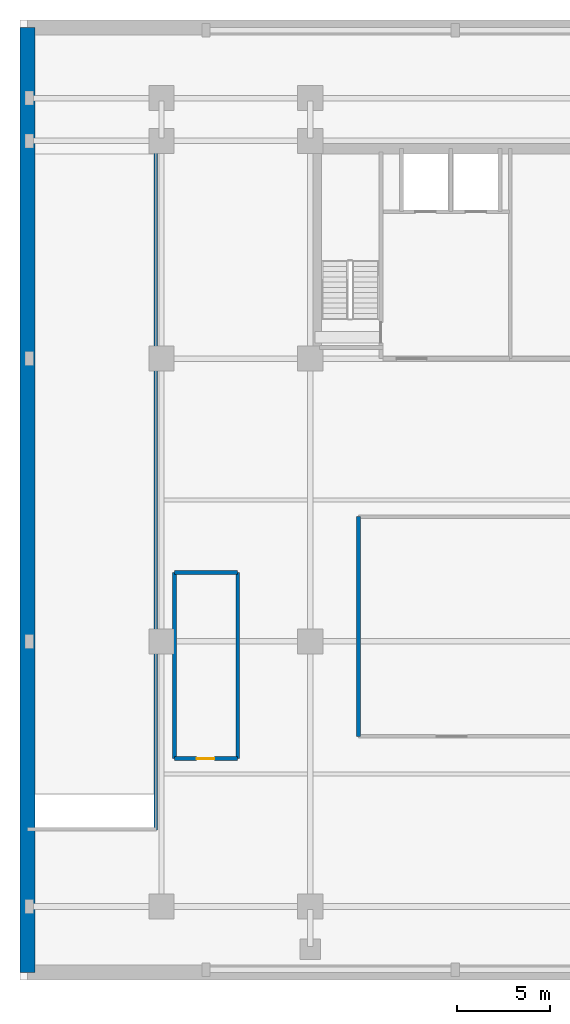
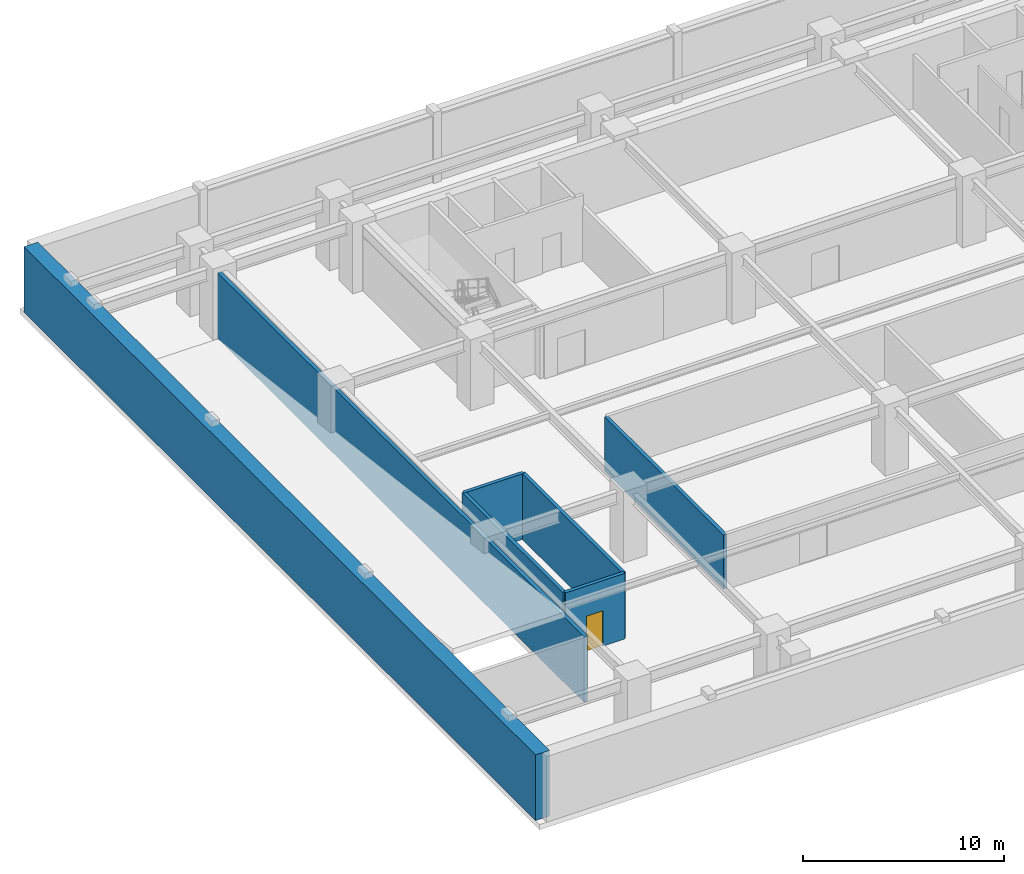
# One storey, part 3 of 8: 7 walls, 1 door, 1 opening.
"""IFC4 building model written with IfcOpenShell, lengths in metres."""

from ifc_helpers import new_model, si_unit, direction, frame, frame_2d, origin, place, context, subcontext, project, spatial, rectangle, extrude, source, transform, mapped, material, layer, layer_set, type_object, element, fill, save


model = new_model("IFC4")

# Units and contexts
model_context = context("Model", 3, precision=1e-05, world=origin(), true_north=direction((0.0, 1.0)))
body_context = subcontext(model_context, "Body", "Model", "MODEL_VIEW")
ifc_project = project(units=[si_unit("LENGTHUNIT", "METRE"), si_unit("AREAUNIT", "SQUARE_METRE"), si_unit("VOLUMEUNIT", "CUBIC_METRE"), si_unit("PLANEANGLEUNIT", "RADIAN"), si_unit("MASSUNIT", "GRAM", prefix="KILO")], contexts=[model_context])

# Site, building, storey
site_placement = place(None, origin())
site = spatial("IfcSite", under=ifc_project, at=site_placement, CompositionType="ELEMENT")
building_placement = place(site_placement, origin())
building = spatial("IfcBuilding", under=site, at=building_placement, Name="Trelvane Seafront Commons", CompositionType="ELEMENT")
storey_placement = place(building_placement, frame((0.0, 0.0, -8.60009765625)))
storey = spatial("IfcBuildingStorey", under=building, at=storey_placement, Name="B02", CompositionType="ELEMENT", Elevation=-8.60009765625)

# Walls
ifc_material_1 = material(Name="Concrete C40/50", Category="concrete")
ifc_layer_1 = layer(ifc_material_1, 0.199951171875, Name="ARCH-WALL-FIRE200")
ifc_layer_set_1 = layer_set([ifc_layer_1], Name="Concrete C40/50")
wall_type_1 = type_object("IfcWallType", Name="ARCH-WALL-FIRE200", PredefinedType="PARTITIONING", material=ifc_layer_set_1)
wall_1_placement = place(storey_placement, frame((18.199951171875, 13.10009765625, 0.0), z_axis=(0.0, 0.0, 1.0), x_axis=(0.0, 1.0, 0.0)))
element("IfcWall", 1, at=wall_1_placement, inside=storey, type_object=wall_type_1, Name="W-B02-BM-IS-W-034", PredefinedType="PARTITIONING", context=body_context, shape_type="SweptSolid", body=[
    extrude(rectangle(XDim=11.7998046875, YDim=0.199951171875, at=frame_2d((5.89990234375, 0.0))), origin(), (0.0, 0.0, 1.0), 3.280029296875),
])
ifc_material_2 = material(Name="Concrete C50/60", Category="concrete")
ifc_layer_2 = layer(ifc_material_2, 0.800048828125, Name="STR-WALL-RET800")
ifc_layer_set_2 = layer_set([ifc_layer_2], Name="Concrete C50/60")
wall_type_2 = type_object("IfcWallType", Name="STR-WALL-RET800", PredefinedType="USERDEFINED", material=ifc_layer_set_2)
wall_2_placement = place(storey_placement, frame((0.39990234375, 51.199951171875, 0.0), z_axis=(0.0, 0.0, 1.0), x_axis=(0.0, -1.0, 0.0)))
element("IfcWall", 2, at=wall_2_placement, inside=storey, type_object=wall_type_2, Name="RET-B02-08", ObjectType="RETAINING WALL", PredefinedType="USERDEFINED", context=body_context, shape_type="SweptSolid", body=[
    extrude(rectangle(XDim=50.800048828125, YDim=0.800048828125, at=frame_2d((25.39990234375, 0.0))), origin(), (0.0, 0.0, 1.0), 3.97998046875),
])
ifc_layer_3 = layer(ifc_material_2, 0.199951171875, Name="STR-WALL-STAIR200")
ifc_layer_set_3 = layer_set([ifc_layer_3], Name="Concrete C50/60")
wall_type_3 = type_object("IfcWallType", Name="STR-WALL-STAIR200", PredefinedType="SHEAR", material=ifc_layer_set_3)
for number, where, z_axis, x_axis, name in (
    (3, (8.300048828125, 11.89990234375, 0.0), (0.0, 0.0, 1.0), (0.0, 1.0, 0.0), "W-B02-ST3B-W-008"),
    (4, (11.699951171875, 11.89990234375, 0.0), (0.0, 0.0, 1.0), (0.0, 1.0, 0.0), "W-B02-ST3B-E-009"),
):
    element("IfcWall", number, at=place(storey_placement, frame(where, z_axis=z_axis, x_axis=x_axis)), inside=storey, type_object=wall_type_3, Name=name, PredefinedType="SHEAR", context=body_context, shape_type="SweptSolid", body=[
        extrude(rectangle(XDim=10.0, YDim=0.199951171875, at=frame_2d((5.0, 0.0))), origin(), (0.0, 0.0, 1.0), 3.97998046875),
    ])

# Wall, opening, door
wall_3_placement = place(storey_placement, frame((8.300048828125, 11.89990234375, 0.0), z_axis=(0.0, 0.0, 1.0), x_axis=(1.0, 0.0, 0.0)))
wall_3 = element("IfcWall", 5, at=wall_3_placement, inside=storey, type_object=wall_type_3, Name="W-B02-ST3B-S-010", PredefinedType="SHEAR", context=body_context, shape_type="SweptSolid", body=[
    extrude(rectangle(XDim=3.39990234375, YDim=0.199951171875, at=frame_2d((1.699951171875, 0.0))), origin(), (0.0, 0.0, 1.0), 3.97998046875),
])
opening_placement = place(wall_3_placement, frame((1.199951171875, 0.0, 0.0)))
opening = element("IfcOpeningElement", 6, at=opening_placement, cuts=wall_3, Name="Opening FD-B02-03", PredefinedType="OPENING", context=body_context, shape_type="SweptSolid", body=[
    extrude(rectangle(XDim=0.949951171875, YDim=2.14990234375, at=frame_2d((0.47509765625, 1.074951171875))), frame((0.0, 0.10986328125, 0.0), z_axis=(0.0, -1.0, 0.0), x_axis=(1.0, 0.0, 0.0)), (0.0, 0.0, 1.0), 0.219970703125),
])
ifc_material_3 = material(Name="Powder-coated aluminium frame", Category="aluminium")
door_type = type_object("IfcDoorType", Name="ARCH-DR-FD60-950", OperationType="NOTDEFINED", PredefinedType="DOOR", material=ifc_material_3)
shared_shape = source(origin(), body_context, "Body", "SweptSolid", [
    extrude(rectangle(XDim=0.949951171875, YDim=2.14990234375, at=frame_2d((0.47509765625, 1.074951171875))), frame((0.0, 0.02490234375, 0.0), z_axis=(0.0, -1.0, 0.0), x_axis=(1.0, 0.0, 0.0)), (0.0, 0.0, 1.0), 0.050048828125),
])
door_placement = place(opening_placement, origin())
door = element("IfcDoor", 7, at=door_placement, inside=storey, type_object=door_type, Name="B02 Door 03", OperationType="SINGLE_SWING_LEFT", OverallHeight=2.14990234375, OverallWidth=0.949951171875, PredefinedType="DOOR", context=body_context, shape_type="MappedRepresentation", body=[
    mapped(shared_shape, transform((0.0, 0.0, 0.0), x_axis=(1.0, 0.0, 0.0), y_axis=(0.0, 1.0, 0.0), z_axis=(0.0, 0.0, 1.0), scale=1.0)),
])
fill(opening, door)

# Walls
wall_4_placement = place(storey_placement, frame((8.300048828125, 21.89990234375, 0.0), z_axis=(0.0, 0.0, 1.0), x_axis=(1.0, 0.0, 0.0)))
element("IfcWall", 8, at=wall_4_placement, inside=storey, type_object=wall_type_3, Name="W-B02-ST3B-N-011", PredefinedType="SHEAR", context=body_context, shape_type="SweptSolid", body=[
    extrude(rectangle(XDim=3.39990234375, YDim=0.199951171875, at=frame_2d((1.699951171875, 0.0))), origin(), (0.0, 0.0, 1.0), 3.97998046875),
])
wall_5_placement = place(storey_placement, frame((7.300048828125, 8.050048828125, 0.0), z_axis=(0.0, 0.0, 1.0), x_axis=(0.0, 1.0, 0.0)))
element("IfcWall", 9, at=wall_5_placement, inside=storey, type_object=wall_type_3, Name="W-B02-RMP-E-B2-038", PredefinedType="SHEAR", context=body_context, shape_type="SweptSolid", body=[
    extrude(rectangle(XDim=36.39990234375, YDim=0.199951171875, at=frame_2d((18.199951171875, 0.0))), origin(), (0.0, 0.0, 1.0), 3.97998046875),
])

save(model, "model.ifc")
